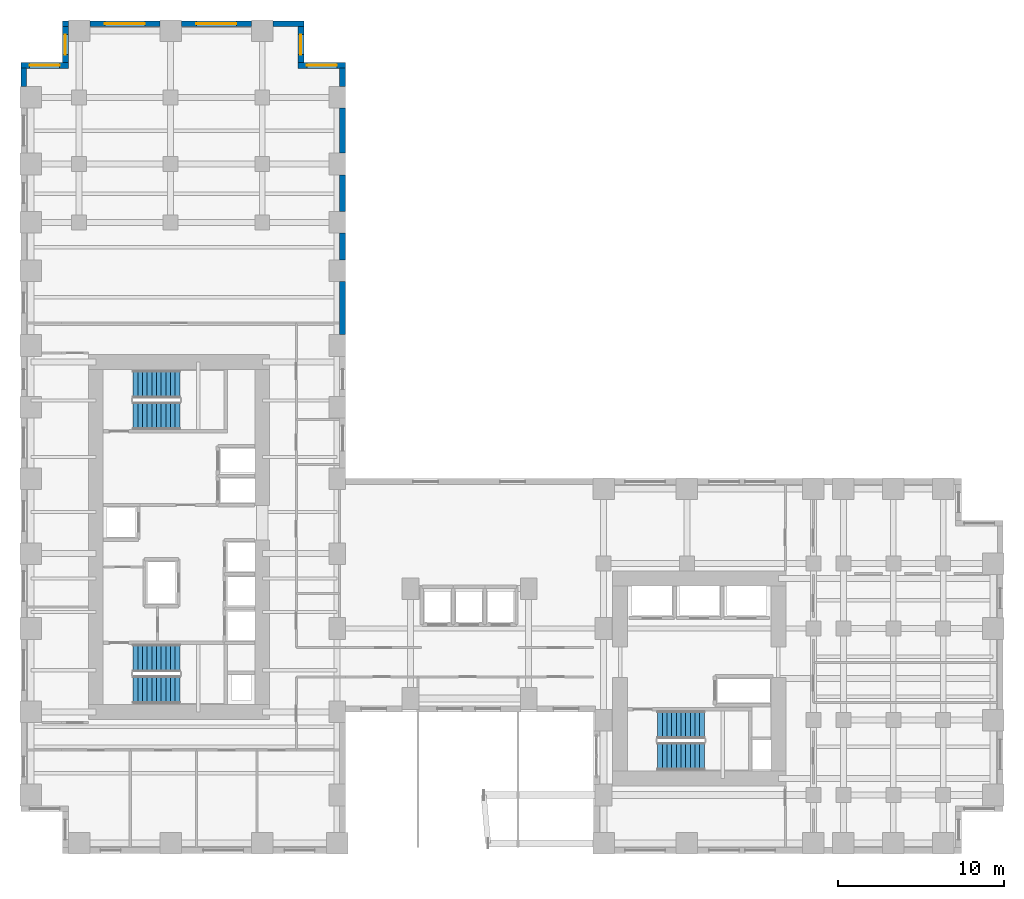
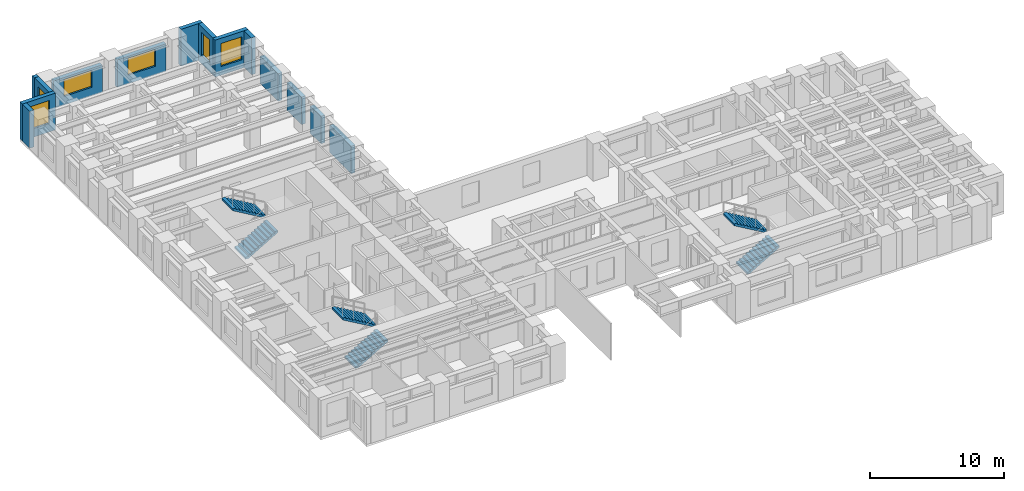
# One storey, part 12 of 14: 14 walls, 6 stair flights, 6 windows, 6 openings, 3 elements without a shape of their own.
"""IFC4 building model written with IfcOpenShell, lengths in metres."""

from ifc_helpers import new_model, si_unit, direction, frame, frame_2d, origin, place, context, subcontext, project, spatial, polyline, rectangle, outline, extrude, source, transform, mapped, material, layer, layer_set, type_object, element, fill, aggregate, save


model = new_model("IFC4")

# Units and contexts
model_context = context("Model", 3, precision=1e-05, world=origin(), true_north=direction((0.0, 1.0)))
body_context = subcontext(model_context, "Body", "Model", "MODEL_VIEW")
ifc_project = project(units=[si_unit("LENGTHUNIT", "METRE"), si_unit("AREAUNIT", "SQUARE_METRE"), si_unit("VOLUMEUNIT", "CUBIC_METRE"), si_unit("PLANEANGLEUNIT", "RADIAN"), si_unit("MASSUNIT", "GRAM", prefix="KILO")], contexts=[model_context])

# Site, building, storey
site_placement = place(None, origin())
site = spatial("IfcSite", under=ifc_project, at=site_placement, CompositionType="ELEMENT")
building_placement = place(site_placement, origin())
building = spatial("IfcBuilding", under=site, at=building_placement, Name="Kharzan Plaza Tower", CompositionType="ELEMENT")
storey_placement = place(building_placement, frame((0.0, 0.0, 29.699951171875)))
storey = spatial("IfcBuildingStorey", under=building, at=storey_placement, Name="L07", CompositionType="ELEMENT", Elevation=29.699951171875)

# Wall, opening, window
ifc_material_1 = material(Name="Concrete C40/50", Category="concrete")
ifc_layer = layer(ifc_material_1, 0.35009765625)
ifc_layer_set = layer_set([ifc_layer], Name="Concrete C40/50")
wall_type = type_object("IfcWallType", Name="WL-EXT-MAS-Z1", PredefinedType="SOLIDWALL", material=ifc_layer_set)
wall_1_placement = place(storey_placement, frame((19.5, 47.324951171875, 0.0), z_axis=(0.0, 0.0, 1.0), x_axis=(-1.0, 0.0, 0.0)))
wall_1 = element("IfcWall", 1, at=wall_1_placement, inside=storey, type_object=wall_type, Name="L07 Masonry-Frame Exterior Wall 01", PredefinedType="SOLIDWALL", context=body_context, shape_type="SweptSolid", body=[
    extrude(rectangle(XDim=2.85009765625, YDim=0.35009765625, at=frame_2d((1.425048828125, 0.0))), origin(), (0.0, 0.0, 1.0), 3.364990234375),
])
opening_1_placement = place(wall_1_placement, frame((0.52490234375, 0.0, 0.780029296875)))
opening_1 = element("IfcOpeningElement", 2, at=opening_1_placement, cuts=wall_1, Name="Opening W1", PredefinedType="OPENING", context=body_context, shape_type="SweptSolid", body=[
    extrude(rectangle(XDim=1.800048828125, YDim=2.10009765625, at=frame_2d((0.89990234375, 1.050048828125))), frame((0.0, 0.18505859375, 0.0), z_axis=(0.0, -1.0, 0.0), x_axis=(1.0, 0.0, 0.0)), (0.0, 0.0, 1.0), 0.3701171875),
])
ifc_material_2 = material(Name="Low-E Double Glazing", Category="glass")
window_type_1 = type_object("IfcWindowType", Name="WN-REC-1800x2100", PartitioningType="SINGLE_PANEL", PredefinedType="WINDOW", material=ifc_material_2)
shared_shape_1 = source(origin(), body_context, "Body", "SweptSolid", [
    extrude(rectangle(XDim=1.800048828125, YDim=2.10009765625, at=frame_2d((0.89990234375, 1.050048828125))), frame((0.0, 0.030029296875, 0.0), z_axis=(0.0, -1.0, 0.0), x_axis=(1.0, 0.0, 0.0)), (0.0, 0.0, 1.0), 0.06005859375),
])
window_1_placement = place(opening_1_placement, origin())
window_1 = element("IfcWindow", 3, at=window_1_placement, inside=storey, type_object=window_type_1, Name="L07 Recessed Solar-Control Window 01-1", OverallHeight=2.10009765625, OverallWidth=1.800048828125, PartitioningType="SINGLE_PANEL", PredefinedType="WINDOW", context=body_context, shape_type="MappedRepresentation", body=[
    mapped(shared_shape_1, transform((0.0, 0.0, 0.0), x_axis=(1.0, 0.0, 0.0), y_axis=(0.0, 1.0, 0.0), z_axis=(0.0, 0.0, 1.0))),
])
fill(opening_1, window_1)

wall_2_placement = place(storey_placement, frame((16.824951171875, 47.498046875, 0.0), z_axis=(0.0, 0.0, 1.0), x_axis=(0.0, 1.0, 0.0)))
wall_2 = element("IfcWall", 4, at=wall_2_placement, inside=storey, type_object=wall_type, Name="L07 Masonry-Frame Exterior Wall 02", PredefinedType="SOLIDWALL", context=body_context, shape_type="SweptSolid", body=[
    extrude(rectangle(XDim=2.154052734375, YDim=0.35009765625, at=frame_2d((1.0771484375, 0.0))), origin(), (0.0, 0.0, 1.0), 3.364990234375),
])
opening_2_placement = place(wall_2_placement, frame((0.47705078125, 0.0, 0.780029296875)))
opening_2 = element("IfcOpeningElement", 5, at=opening_2_placement, cuts=wall_2, Name="Opening W3", PredefinedType="OPENING", context=body_context, shape_type="SweptSolid", body=[
    extrude(rectangle(XDim=1.199951171875, YDim=2.10009765625, at=frame_2d((0.60009765625, 1.050048828125))), frame((0.0, 0.18505859375, 0.0), z_axis=(0.0, -1.0, 0.0), x_axis=(1.0, 0.0, 0.0)), (0.0, 0.0, 1.0), 0.3701171875),
])
window_type_2 = type_object("IfcWindowType", Name="WN-REC-1200x2100", PartitioningType="SINGLE_PANEL", PredefinedType="WINDOW", material=ifc_material_2)
shared_shape_2 = source(origin(), body_context, "Body", "SweptSolid", [
    extrude(rectangle(XDim=1.199951171875, YDim=2.10009765625, at=frame_2d((0.60009765625, 1.050048828125))), frame((0.0, 0.030029296875, 0.0), z_axis=(0.0, -1.0, 0.0), x_axis=(1.0, 0.0, 0.0)), (0.0, 0.0, 1.0), 0.06005859375),
])
window_2_placement = place(opening_2_placement, origin())
window_2 = element("IfcWindow", 6, at=window_2_placement, inside=storey, type_object=window_type_2, Name="L07 Recessed Solar-Control Window 02-1", OverallHeight=2.10009765625, OverallWidth=1.199951171875, PartitioningType="SINGLE_PANEL", PredefinedType="WINDOW", context=body_context, shape_type="MappedRepresentation", body=[
    mapped(shared_shape_2, transform((0.0, 0.0, 0.0), x_axis=(1.0, 0.0, 0.0), y_axis=(0.0, 1.0, 0.0), z_axis=(0.0, 0.0, 1.0))),
])
fill(opening_2, window_2)

wall_3_placement = place(storey_placement, frame((13.85205078125, 49.824951171875, 0.0), z_axis=(0.0, 0.0, 1.0), x_axis=(-1.0, 0.0, 0.0)))
wall_3 = element("IfcWall", 7, at=wall_3_placement, inside=storey, type_object=wall_type, Name="L07 Masonry-Frame Exterior Wall 04", PredefinedType="SOLIDWALL", context=body_context, shape_type="SweptSolid", body=[
    extrude(rectangle(XDim=4.2041015625, YDim=0.35009765625, at=frame_2d((2.10205078125, 0.0))), origin(), (0.0, 0.0, 1.0), 2.510009765625),
])
opening_3_placement = place(wall_3_placement, frame((0.902099609375, 0.0, 0.780029296875)))
opening_3 = element("IfcOpeningElement", 8, at=opening_3_placement, cuts=wall_3, Name="Opening W2", PredefinedType="OPENING", context=body_context, shape_type="SweptSolid", body=[
    extrude(rectangle(XDim=2.39990234375, YDim=1.550048828125, at=frame_2d((1.199951171875, 0.77490234375))), frame((0.0, 0.18505859375, 0.0), z_axis=(0.0, -1.0, 0.0), x_axis=(1.0, 0.0, 0.0)), (0.0, 0.0, 1.0), 0.3701171875),
])
window_type_3 = type_object("IfcWindowType", Name="WN-REC-2400x2100", PartitioningType="SINGLE_PANEL", PredefinedType="WINDOW", material=ifc_material_2)
shared_shape_3 = source(origin(), body_context, "Body", "SweptSolid", [
    extrude(rectangle(XDim=2.39990234375, YDim=1.550048828125, at=frame_2d((1.199951171875, 0.77490234375))), frame((0.0, 0.030029296875, 0.0), z_axis=(0.0, -1.0, 0.0), x_axis=(1.0, 0.0, 0.0)), (0.0, 0.0, 1.0), 0.06005859375),
])
window_3_placement = place(opening_3_placement, origin())
window_3 = element("IfcWindow", 9, at=window_3_placement, inside=storey, type_object=window_type_3, Name="L07 Wide Recessed Solar-Control Window 04-1", OverallHeight=1.550048828125, OverallWidth=2.39990234375, PartitioningType="SINGLE_PANEL", PredefinedType="WINDOW", context=body_context, shape_type="MappedRepresentation", body=[
    mapped(shared_shape_3, transform((0.0, 0.0, 0.0), x_axis=(1.0, 0.0, 0.0), y_axis=(0.0, 1.0, 0.0), z_axis=(0.0, 0.0, 1.0))),
])
fill(opening_3, window_3)

wall_4_placement = place(storey_placement, frame((8.35205078125, 49.824951171875, 0.0), z_axis=(0.0, 0.0, 1.0), x_axis=(-1.0, 0.0, 0.0)))
wall_4 = element("IfcWall", 10, at=wall_4_placement, inside=storey, type_object=wall_type, Name="L07 Masonry-Frame Exterior Wall 05", PredefinedType="SOLIDWALL", context=body_context, shape_type="SweptSolid", body=[
    extrude(rectangle(XDim=4.2041015625, YDim=0.35009765625, at=frame_2d((2.10205078125, 0.0))), origin(), (0.0, 0.0, 1.0), 2.510009765625),
])
opening_4_placement = place(wall_4_placement, frame((0.902099609375, 0.0, 0.780029296875)))
opening_4 = element("IfcOpeningElement", 11, at=opening_4_placement, cuts=wall_4, Name="Opening W2", PredefinedType="OPENING", context=body_context, shape_type="SweptSolid", body=[
    extrude(rectangle(XDim=2.39990234375, YDim=1.550048828125, at=frame_2d((1.199951171875, 0.77490234375))), frame((0.0, 0.18505859375, 0.0), z_axis=(0.0, -1.0, 0.0), x_axis=(1.0, 0.0, 0.0)), (0.0, 0.0, 1.0), 0.3701171875),
])
window_4_placement = place(opening_4_placement, origin())
window_4 = element("IfcWindow", 12, at=window_4_placement, inside=storey, type_object=window_type_3, Name="L07 Wide Recessed Solar-Control Window 05-1", OverallHeight=1.550048828125, OverallWidth=2.39990234375, PartitioningType="SINGLE_PANEL", PredefinedType="WINDOW", context=body_context, shape_type="MappedRepresentation", body=[
    mapped(shared_shape_3, transform((0.0, 0.0, 0.0), x_axis=(1.0, 0.0, 0.0), y_axis=(0.0, 1.0, 0.0), z_axis=(0.0, 0.0, 1.0))),
])
fill(opening_4, window_4)

wall_5_placement = place(storey_placement, frame((2.675048828125, 49.652099609375, 0.0), z_axis=(0.0, 0.0, 1.0), x_axis=(0.0, -1.0, 0.0)))
wall_5 = element("IfcWall", 13, at=wall_5_placement, inside=storey, type_object=wall_type, Name="L07 Masonry-Frame Exterior Wall 07", PredefinedType="SOLIDWALL", context=body_context, shape_type="SweptSolid", body=[
    extrude(rectangle(XDim=2.154052734375, YDim=0.35009765625, at=frame_2d((1.0771484375, 0.0))), origin(), (0.0, 0.0, 1.0), 3.364990234375),
])
opening_5_placement = place(wall_5_placement, frame((0.47705078125, 0.0, 0.780029296875)))
opening_5 = element("IfcOpeningElement", 14, at=opening_5_placement, cuts=wall_5, Name="Opening W3", PredefinedType="OPENING", context=body_context, shape_type="SweptSolid", body=[
    extrude(rectangle(XDim=1.199951171875, YDim=2.10009765625, at=frame_2d((0.60009765625, 1.050048828125))), frame((0.0, 0.18505859375, 0.0), z_axis=(0.0, -1.0, 0.0), x_axis=(1.0, 0.0, 0.0)), (0.0, 0.0, 1.0), 0.3701171875),
])
window_5_placement = place(opening_5_placement, origin())
window_5 = element("IfcWindow", 15, at=window_5_placement, inside=storey, type_object=window_type_2, Name="L07 Recessed Solar-Control Window 07-1", OverallHeight=2.10009765625, OverallWidth=1.199951171875, PartitioningType="SINGLE_PANEL", PredefinedType="WINDOW", context=body_context, shape_type="MappedRepresentation", body=[
    mapped(shared_shape_2, transform((0.0, 0.0, 0.0), x_axis=(1.0, 0.0, 0.0), y_axis=(0.0, 1.0, 0.0), z_axis=(0.0, 0.0, 1.0))),
])
fill(opening_5, window_5)

wall_6_placement = place(storey_placement, frame((2.85009765625, 47.324951171875, 0.0), z_axis=(0.0, 0.0, 1.0), x_axis=(-1.0, 0.0, 0.0)))
wall_6 = element("IfcWall", 16, at=wall_6_placement, inside=storey, type_object=wall_type, Name="L07 Masonry-Frame Exterior Wall 08", PredefinedType="SOLIDWALL", context=body_context, shape_type="SweptSolid", body=[
    extrude(rectangle(XDim=2.85009765625, YDim=0.35009765625, at=frame_2d((1.425048828125, 0.0))), origin(), (0.0, 0.0, 1.0), 3.364990234375),
])
opening_6_placement = place(wall_6_placement, frame((0.52490234375, 0.0, 0.780029296875)))
opening_6 = element("IfcOpeningElement", 17, at=opening_6_placement, cuts=wall_6, Name="Opening W1", PredefinedType="OPENING", context=body_context, shape_type="SweptSolid", body=[
    extrude(rectangle(XDim=1.800048828125, YDim=2.10009765625, at=frame_2d((0.89990234375, 1.050048828125))), frame((0.0, 0.18505859375, 0.0), z_axis=(0.0, -1.0, 0.0), x_axis=(1.0, 0.0, 0.0)), (0.0, 0.0, 1.0), 0.3701171875),
])
window_6_placement = place(opening_6_placement, origin())
window_6 = element("IfcWindow", 18, at=window_6_placement, inside=storey, type_object=window_type_1, Name="L07 Recessed Solar-Control Window 08-1", OverallHeight=2.10009765625, OverallWidth=1.800048828125, PartitioningType="SINGLE_PANEL", PredefinedType="WINDOW", context=body_context, shape_type="MappedRepresentation", body=[
    mapped(shared_shape_1, transform((0.0, 0.0, 0.0), x_axis=(1.0, 0.0, 0.0), y_axis=(0.0, 1.0, 0.0), z_axis=(0.0, 0.0, 1.0))),
])
fill(opening_6, window_6)

# Walls
shared_shape_4 = source(origin(), body_context, "Body", "SweptSolid", [
    extrude(rectangle(XDim=1.85205078125, YDim=0.35009765625, at=frame_2d((0.926025390625, 0.0))), origin(), (0.0, 0.0, 1.0), 3.364990234375),
])
wall_7_placement = place(storey_placement, frame((17.0, 49.824951171875, 0.0), z_axis=(0.0, 0.0, 1.0), x_axis=(-1.0, 0.0, 0.0)))
element("IfcWall", 19, at=wall_7_placement, inside=storey, type_object=wall_type, Name="L07 Masonry-Frame Exterior Wall 03", PredefinedType="SOLIDWALL", context=body_context, shape_type="MappedRepresentation", body=[
    mapped(shared_shape_4, transform((0.0, 0.0, 0.0), x_axis=(1.0, 0.0, 0.0), y_axis=(0.0, 1.0, 0.0), z_axis=(0.0, 0.0, 1.0))),
])
shared_shape_5 = source(origin(), body_context, "Body", "SweptSolid", [
    extrude(rectangle(XDim=0.35205078125, YDim=0.35009765625, at=frame_2d((0.176025390625, 0.0))), origin(), (0.0, 0.0, 1.0), 3.364990234375),
])
wall_8_placement = place(storey_placement, frame((2.85205078125, 49.824951171875, 0.0), z_axis=(0.0, 0.0, 1.0), x_axis=(-1.0, 0.0, 0.0)))
element("IfcWall", 20, at=wall_8_placement, inside=storey, type_object=wall_type, Name="L07 Masonry-Frame Exterior Wall 06", PredefinedType="SOLIDWALL", context=body_context, shape_type="MappedRepresentation", body=[
    mapped(shared_shape_5, transform((0.0, 0.0, 0.0), x_axis=(1.0, 0.0, 0.0), y_axis=(0.0, 1.0, 0.0), z_axis=(0.0, 0.0, 1.0))),
])
shared_shape_6 = source(origin(), body_context, "Body", "SweptSolid", [
    extrude(rectangle(XDim=1.10400390625, YDim=0.35009765625, at=frame_2d((0.552001953125, 0.0))), origin(), (0.0, 0.0, 1.0), 3.364990234375),
])
for number, where, z_axis, x_axis, name in (
    (21, (0.175048828125, 47.152099609375, 0.0), (0.0, 0.0, 1.0), (0.0, -1.0, 0.0), "L07 Masonry-Frame Exterior Wall 09"),
    (22, (19.324951171875, 46.048095703125, 0.0), (0.0, 0.0, 1.0), (0.0, 1.0, 0.0), "L07 Masonry-Frame Exterior Wall 61"),
):
    element("IfcWall", number, at=place(storey_placement, frame(where, z_axis=z_axis, x_axis=x_axis)), inside=storey, type_object=wall_type, Name=name, PredefinedType="SOLIDWALL", context=body_context, shape_type="MappedRepresentation", body=[
        mapped(shared_shape_6, transform((0.0, 0.0, 0.0), x_axis=(1.0, 0.0, 0.0), y_axis=(0.0, 1.0, 0.0), z_axis=(0.0, 0.0, 1.0))),
    ])
shared_shape_7 = source(origin(), body_context, "Body", "SweptSolid", [
    extrude(rectangle(XDim=1.60400390625, YDim=0.35009765625, at=frame_2d((0.802001953125, 0.0))), origin(), (0.0, 0.0, 1.0), 2.510009765625),
])
wall_9_placement = place(storey_placement, frame((19.324951171875, 35.64794921875, 0.0), z_axis=(0.0, 0.0, 1.0), x_axis=(0.0, 1.0, 0.0)))
element("IfcWall", 23, at=wall_9_placement, inside=storey, type_object=wall_type, Name="L07 Masonry-Frame Exterior Wall 58", PredefinedType="SOLIDWALL", context=body_context, shape_type="MappedRepresentation", body=[
    mapped(shared_shape_7, transform((0.0, 0.0, 0.0), x_axis=(1.0, 0.0, 0.0), y_axis=(0.0, 1.0, 0.0), z_axis=(0.0, 0.0, 1.0))),
])
shared_shape_8 = source(origin(), body_context, "Body", "SweptSolid", [
    extrude(rectangle(XDim=3.2041015625, YDim=0.35009765625, at=frame_2d((1.60205078125, 0.0))), origin(), (0.0, 0.0, 1.0), 2.510009765625),
])
wall_10_placement = place(storey_placement, frame((19.324951171875, 31.14794921875, 0.0), z_axis=(0.0, 0.0, 1.0), x_axis=(0.0, 1.0, 0.0)))
element("IfcWall", 24, at=wall_10_placement, inside=storey, type_object=wall_type, Name="L07 Masonry-Frame Exterior Wall 57", PredefinedType="SOLIDWALL", context=body_context, shape_type="MappedRepresentation", body=[
    mapped(shared_shape_8, transform((0.0, 0.0, 0.0), x_axis=(1.0, 0.0, 0.0), y_axis=(0.0, 1.0, 0.0), z_axis=(0.0, 0.0, 1.0))),
])
shared_shape_9 = source(origin(), body_context, "Body", "SweptSolid", [
    extrude(rectangle(XDim=2.203857421875, YDim=0.35009765625, at=frame_2d((1.10205078125, 0.0))), origin(), (0.0, 0.0, 1.0), 2.510009765625),
])
wall_11_placement = place(storey_placement, frame((19.324951171875, 38.548095703125, 0.0), z_axis=(0.0, 0.0, 1.0), x_axis=(0.0, 1.0, 0.0)))
element("IfcWall", 25, at=wall_11_placement, inside=storey, type_object=wall_type, Name="L07 Masonry-Frame Exterior Wall 59", PredefinedType="SOLIDWALL", context=body_context, shape_type="MappedRepresentation", body=[
    mapped(shared_shape_9, transform((0.0, 0.0, 0.0), x_axis=(1.0, 0.0, 0.0), y_axis=(0.0, 1.0, 0.0), z_axis=(0.0, 0.0, 1.0))),
])
shared_shape_10 = source(origin(), body_context, "Body", "SweptSolid", [
    extrude(rectangle(XDim=2.703857421875, YDim=0.35009765625, at=frame_2d((1.35205078125, 0.0))), origin(), (0.0, 0.0, 1.0), 2.510009765625),
])
wall_12_placement = place(storey_placement, frame((19.324951171875, 42.048095703125, 0.0), z_axis=(0.0, 0.0, 1.0), x_axis=(0.0, 1.0, 0.0)))
element("IfcWall", 26, at=wall_12_placement, inside=storey, type_object=wall_type, Name="L07 Masonry-Frame Exterior Wall 60", PredefinedType="SOLIDWALL", context=body_context, shape_type="MappedRepresentation", body=[
    mapped(shared_shape_10, transform((0.0, 0.0, 0.0), x_axis=(1.0, 0.0, 0.0), y_axis=(0.0, 1.0, 0.0), z_axis=(0.0, 0.0, 1.0))),
])

# Stair, stair flights
stair_type_1 = type_object("IfcStairType", Name="STR-ST-1", PredefinedType="HALF_TURN_STAIR", material=ifc_material_1)
stair_1_placement = place(storey_placement, origin())
stair_1 = element("IfcStair", 27, at=stair_1_placement, inside=storey, type_object=stair_type_1, Name="L07 Protected Exit Stair ST-1", PredefinedType="HALF_TURN_STAIR")
stair_flight_type = type_object("IfcStairFlightType", Name="SFL-1650-R173", PredefinedType="STRAIGHT", material=ifc_material_1)
shared_shape_11 = source(origin(), body_context, "Body", "SweptSolid", [
    extrude(outline(polyline([(-0.0029296875, -0.011962890625), (-0.0029296875, 0.0), (0.0, 0.0), (0.0, 0.16357421875), (0.280029296875, 0.16357421875), (0.280029296875, 0.3271484375), (0.56005859375, 0.3271484375), (0.56005859375, 0.49072265625), (0.840087890625, 0.49072265625), (0.840087890625, 0.654296875), (1.1201171875, 0.654296875), (1.1201171875, 0.81787109375), (1.400146484375, 0.81787109375), (1.400146484375, 0.9814453125), (1.68017578125, 0.9814453125), (1.68017578125, 1.14501953125), (1.960205078125, 1.14501953125), (1.960205078125, 1.30859375), (2.240234375, 1.30859375), (2.240234375, 1.47216796875), (2.520263671875, 1.47216796875), (2.520263671875, 1.6357421875), (2.80029296875, 1.6357421875), (2.80029296875, 1.79931640625), (2.80029296875, 1.462158203125), (0.297119140625, 0.0), (0.297119140625, -0.011962890625), (-0.0029296875, -0.011962890625)])), frame((0.0, 0.824951171875, 0.0), z_axis=(0.0, -1.0, 0.0), x_axis=(1.0, 0.0, 0.0)), (0.0, 0.0, 1.0), 1.64990234375),
])
stair_flight_1_placement = place(storey_placement, frame((6.75, 9.824951171875, 0.0), z_axis=(0.0, 0.0, 1.0), x_axis=(1.0, 0.0, 0.0)))
stair_flight_1 = element("IfcStairFlight", 28, at=stair_flight_1_placement, type_object=stair_flight_type, Name="ST-1 flight 1", NumberOfRisers=11, NumberOfTreads=10, PredefinedType="STRAIGHT", RiserHeight=0.163636364, TreadLength=0.28, context=body_context, shape_type="MappedRepresentation", body=[
    mapped(shared_shape_11, transform((0.0, 0.0, 0.0), x_axis=(1.0, 0.0, 0.0), y_axis=(0.0, 1.0, 0.0), z_axis=(0.0, 0.0, 1.0))),
])
stair_flight_2_placement = place(storey_placement, frame((9.550048828125, 11.72509765625, 1.800048828125), z_axis=(0.0, 0.0, 1.0), x_axis=(-1.0, 0.0, 0.0)))
stair_flight_2 = element("IfcStairFlight", 29, at=stair_flight_2_placement, type_object=stair_flight_type, Name="ST-1 flight 2", NumberOfRisers=11, NumberOfTreads=10, PredefinedType="STRAIGHT", RiserHeight=0.163636364, TreadLength=0.28, context=body_context, shape_type="MappedRepresentation", body=[
    mapped(shared_shape_11, transform((0.0, 0.0, 0.0), x_axis=(1.0, 0.0, 0.0), y_axis=(0.0, 1.0, 0.0), z_axis=(0.0, 0.0, 1.0))),
])
aggregate(stair_1, [stair_flight_1, stair_flight_2])

stair_type_2 = type_object("IfcStairType", Name="STR-ST-2", PredefinedType="HALF_TURN_STAIR", material=ifc_material_1)
stair_2_placement = place(storey_placement, origin())
stair_2 = element("IfcStair", 30, at=stair_2_placement, inside=storey, type_object=stair_type_2, Name="L07 Protected Exit Stair ST-2", PredefinedType="HALF_TURN_STAIR")
stair_flight_3_placement = place(storey_placement, frame((6.75, 26.27490234375, 0.0), z_axis=(0.0, 0.0, 1.0), x_axis=(1.0, 0.0, 0.0)))
stair_flight_3 = element("IfcStairFlight", 31, at=stair_flight_3_placement, type_object=stair_flight_type, Name="ST-2 flight 1", NumberOfRisers=11, NumberOfTreads=10, PredefinedType="STRAIGHT", RiserHeight=0.163636364, TreadLength=0.28, context=body_context, shape_type="MappedRepresentation", body=[
    mapped(shared_shape_11, transform((0.0, 0.0, 0.0), x_axis=(1.0, 0.0, 0.0), y_axis=(0.0, 1.0, 0.0), z_axis=(0.0, 0.0, 1.0))),
])
stair_flight_4_placement = place(storey_placement, frame((9.550048828125, 28.175048828125, 1.800048828125), z_axis=(0.0, 0.0, 1.0), x_axis=(-1.0, 0.0, 0.0)))
stair_flight_4 = element("IfcStairFlight", 32, at=stair_flight_4_placement, type_object=stair_flight_type, Name="ST-2 flight 2", NumberOfRisers=11, NumberOfTreads=10, PredefinedType="STRAIGHT", RiserHeight=0.163636364, TreadLength=0.28, context=body_context, shape_type="MappedRepresentation", body=[
    mapped(shared_shape_11, transform((0.0, 0.0, 0.0), x_axis=(1.0, 0.0, 0.0), y_axis=(0.0, 1.0, 0.0), z_axis=(0.0, 0.0, 1.0))),
])
aggregate(stair_2, [stair_flight_3, stair_flight_4])

stair_type_3 = type_object("IfcStairType", Name="STR-ST-3", PredefinedType="HALF_TURN_STAIR", material=ifc_material_1)
stair_3_placement = place(storey_placement, origin())
stair_3 = element("IfcStair", 33, at=stair_3_placement, inside=storey, type_object=stair_type_3, Name="L07 Protected Exit Stair ST-3", PredefinedType="HALF_TURN_STAIR")
stair_flight_5_placement = place(storey_placement, frame((38.25, 5.824951171875, 0.0), z_axis=(0.0, 0.0, 1.0), x_axis=(1.0, 0.0, 0.0)))
stair_flight_5 = element("IfcStairFlight", 34, at=stair_flight_5_placement, type_object=stair_flight_type, Name="ST-3 flight 1", NumberOfRisers=11, NumberOfTreads=10, PredefinedType="STRAIGHT", RiserHeight=0.163636364, TreadLength=0.28, context=body_context, shape_type="MappedRepresentation", body=[
    mapped(shared_shape_11, transform((0.0, 0.0, 0.0), x_axis=(1.0, 0.0, 0.0), y_axis=(0.0, 1.0, 0.0), z_axis=(0.0, 0.0, 1.0))),
])
stair_flight_6_placement = place(storey_placement, frame((41.050048828125, 7.72509765625, 1.800048828125), z_axis=(0.0, 0.0, 1.0), x_axis=(-1.0, 0.0, 0.0)))
stair_flight_6 = element("IfcStairFlight", 35, at=stair_flight_6_placement, type_object=stair_flight_type, Name="ST-3 flight 2", NumberOfRisers=11, NumberOfTreads=10, PredefinedType="STRAIGHT", RiserHeight=0.163636364, TreadLength=0.28, context=body_context, shape_type="MappedRepresentation", body=[
    mapped(shared_shape_11, transform((0.0, 0.0, 0.0), x_axis=(1.0, 0.0, 0.0), y_axis=(0.0, 1.0, 0.0), z_axis=(0.0, 0.0, 1.0))),
])
aggregate(stair_3, [stair_flight_5, stair_flight_6])

save(model, "model.ifc")
